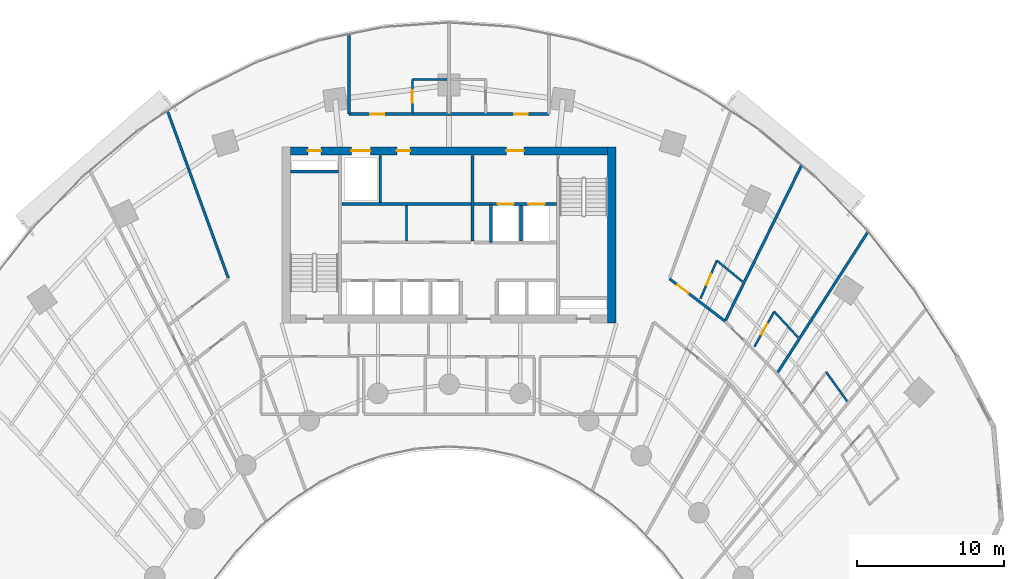
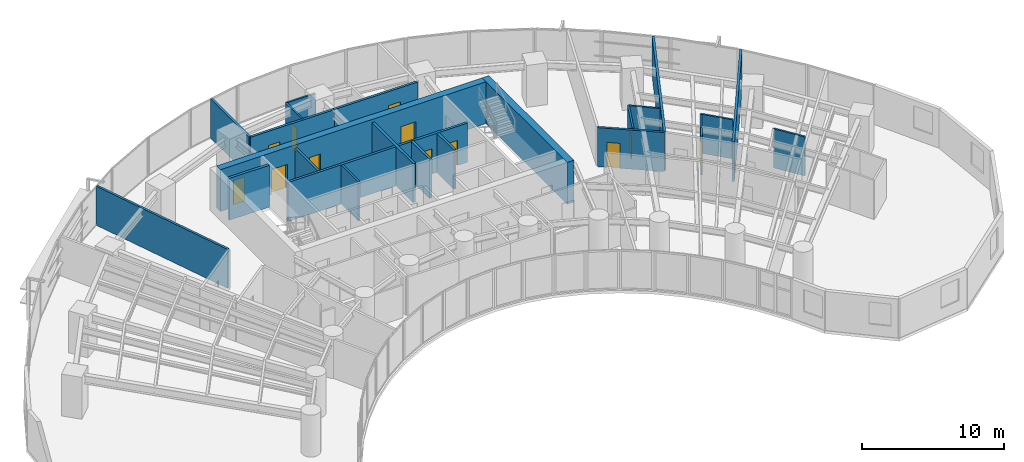
# One storey, part 13 of 17: 24 walls, 12 doors, 12 openings.
"""IFC4 building model written with IfcOpenShell, lengths in metres."""

import ifcopenshell
import ifcopenshell.guid

model = None  # the IFC model being written
_history = None  # IfcOwnerHistory: only IFC2X3 demands one
_inside = {}  # id of a spatial element -> (the spatial element, [elements in it])
_under = {}  # id of a project, library or spatial element -> (it, [spatial elements below it])
_declared = {}  # id of a project -> (the project, [libraries it declares])
_typed = {}  # id of a type object -> (the type object, [elements of that type])
_made_of = {}  # id of a material, layer set ... -> (it, [elements and type objects made of it])


def new_model(schema):
    """Start an empty IFC model of exactly this schema.

    Asked for "IFC4X3", IfcOpenShell would pick the latest addendum, in which some entities
    have other attributes; the version numbers below select the first issue.
    IFC2X3 requires an IfcOwnerHistory on every rooted entity: one is made here for all.
    """
    global model, _history
    if schema == "IFC4X3":
        model = ifcopenshell.file(schema_version=(4, 3, 0, 0))
    else:
        model = ifcopenshell.file(schema=schema)
    _inside.clear()
    _under.clear()
    _declared.clear()
    _typed.clear()
    _made_of.clear()
    _history = None
    if model.schema == "IFC2X3":
        org = make("IfcOrganization", Name="unknown")
        user = make(
            "IfcPersonAndOrganization",
            ThePerson=make("IfcPerson", FamilyName="unknown"),
            TheOrganization=org,
        )
        app = make(
            "IfcApplication",
            ApplicationDeveloper=org,
            Version="unknown",
            ApplicationFullName="unknown",
            ApplicationIdentifier="unknown",
        )
        _history = make(
            "IfcOwnerHistory",
            OwningUser=user,
            OwningApplication=app,
            ChangeAction="ADDED",
            CreationDate=0,
        )
    return model


def make(cls, **values):
    """One entity of the class cls with the attributes given. An attribute that is None is left unset."""
    return model.create_entity(
        cls, **{name: value for name, value in values.items() if value is not None}
    )


def rooted(cls, **values):
    """An entity with a GlobalId (a new one), such as an element, a storey or a relation."""
    return make(cls, GlobalId=ifcopenshell.guid.new(), OwnerHistory=_history, **values)


def si_unit(unit_type, name, prefix=None):
    """IfcSIUnit, for example si_unit("LENGTHUNIT", "METRE", prefix="MILLI")."""
    return make("IfcSIUnit", UnitType=unit_type, Prefix=prefix, Name=name)


def assignment(units):
    """IfcUnitAssignment: the units of a project."""
    return None if units is None else make("IfcUnitAssignment", Units=units)


def point(xyz):
    """IfcCartesianPoint."""
    return None if xyz is None else make("IfcCartesianPoint", Coordinates=xyz)


def direction(xyz):
    """IfcDirection."""
    return None if xyz is None else make("IfcDirection", DirectionRatios=xyz)


def frame(location, z_axis=None, x_axis=None):
    """IfcAxis2Placement3D, a coordinate frame: its origin and axes. An axis left out is left unset."""
    return make(
        "IfcAxis2Placement3D",
        Location=point(location),
        Axis=direction(z_axis),
        RefDirection=direction(x_axis),
    )


def frame_2d(location, x_axis=None):
    """IfcAxis2Placement2D, a coordinate frame in the plane: its origin and x axis."""
    return make(
        "IfcAxis2Placement2D", Location=point(location), RefDirection=direction(x_axis)
    )


def origin():
    """The frame at (0, 0, 0) with its axes left unset."""
    return frame((0.0, 0.0, 0.0))


def place(relative_to, where):
    """IfcLocalPlacement: puts the frame where relative to a parent placement (None: the world)."""
    return make(
        "IfcLocalPlacement", PlacementRelTo=relative_to, RelativePlacement=where
    )


def context(
    kind, dimensions, precision=None, world=None, true_north=None, identifier=None
):
    """IfcGeometricRepresentationContext, for example the 3D "Model" context."""
    return make(
        "IfcGeometricRepresentationContext",
        ContextIdentifier=identifier,
        ContextType=kind,
        CoordinateSpaceDimension=dimensions,
        Precision=precision,
        WorldCoordinateSystem=world,
        TrueNorth=true_north,
    )


def subcontext(parent, identifier, kind, view, scale=None):
    """IfcGeometricRepresentationSubContext, for example "Body" below "Model"."""
    return make(
        "IfcGeometricRepresentationSubContext",
        ContextIdentifier=identifier,
        ContextType=kind,
        ParentContext=parent,
        TargetScale=scale,
        TargetView=view,
    )


def project(units=None, contexts=None):
    """IfcProject with its units and contexts."""
    return rooted(
        "IfcProject",
        Name="project",
        RepresentationContexts=contexts,
        UnitsInContext=assignment(units),
    )


def spatial(cls, under=None, at=None, **own):
    """A site, building, storey or space (cls), placed at a placement, below another one or the project."""
    s = rooted(cls, ObjectPlacement=at, **own)
    if under is not None:
        _under.setdefault(under.id(), (under, []))[1].append(s)
    return s


def profile(cls, at=None, kind="AREA", **sizes):
    """A parametric profile (cls). Its sizes go by their IFC names, for example OverallWidth=200.0."""
    return make(cls, ProfileType=kind, Position=at, **sizes)


def rectangle(**sizes):
    """IfcRectangleProfileDef."""
    return profile("IfcRectangleProfileDef", **sizes)


def extrude(swept, where, along, depth):
    """IfcExtrudedAreaSolid: the profile swept, set in the frame where, extruded along a direction by depth."""
    return make(
        "IfcExtrudedAreaSolid",
        SweptArea=swept,
        Position=where,
        ExtrudedDirection=direction(along),
        Depth=depth,
    )


def shape(context_of_items, identifier, shape_type, items):
    """IfcShapeRepresentation: the items that make up one representation, for example the "Body"."""
    return make(
        "IfcShapeRepresentation",
        ContextOfItems=context_of_items,
        RepresentationIdentifier=identifier,
        RepresentationType=shape_type,
        Items=items,
    )


def source(mapping_origin, context_of_items, identifier, shape_type, items):
    """IfcRepresentationMap: a shape defined once, which mapped items show again and again."""
    return make(
        "IfcRepresentationMap",
        MappingOrigin=mapping_origin,
        MappedRepresentation=shape(context_of_items, identifier, shape_type, items),
    )


def transform(
    local_origin,
    x_axis=None,
    y_axis=None,
    z_axis=None,
    scale=None,
    scale2=None,
    scale3=None,
    uniform=True,
):
    """IfcCartesianTransformationOperator3D, or its non-uniform kind. x_axis, y_axis, z_axis: its Axis1, 2, 3."""
    if uniform:
        return make(
            "IfcCartesianTransformationOperator3D",
            Axis1=direction(x_axis),
            Axis2=direction(y_axis),
            LocalOrigin=point(local_origin),
            Scale=scale,
            Axis3=direction(z_axis),
        )
    return make(
        "IfcCartesianTransformationOperator3DnonUniform",
        Axis1=direction(x_axis),
        Axis2=direction(y_axis),
        LocalOrigin=point(local_origin),
        Scale=scale,
        Axis3=direction(z_axis),
        Scale2=scale2,
        Scale3=scale3,
    )


def mapped(mapping_source, mapping_target):
    """IfcMappedItem: shows the shape of a source again, moved by a transform."""
    return make(
        "IfcMappedItem", MappingSource=mapping_source, MappingTarget=mapping_target
    )


def material(Name=None, Category=None):
    """IfcMaterial."""
    return make("IfcMaterial", Name=Name, Category=Category)


def layer(
    of_material, thickness, ventilated=None, Name=None, Category=None, Priority=None
):
    """IfcMaterialLayer: one layer of a wall or slab, of a material (None: an air gap)."""
    return make(
        "IfcMaterialLayer",
        Material=of_material,
        LayerThickness=thickness,
        IsVentilated=ventilated,
        Name=Name,
        Category=Category,
        Priority=Priority,
    )


def layer_set(layers, Name=None):
    """IfcMaterialLayerSet."""
    return make("IfcMaterialLayerSet", MaterialLayers=layers, LayerSetName=Name)


def made_of(thing, what):
    """Note that an element or type object is made of a material, layer set ...; save() writes the relation."""
    if what is not None:
        _made_of.setdefault(what.id(), (what, []))[1].append(thing)
    return thing


def type_object(cls, material=None, **own):
    """A type object (cls), such as IfcWallType, which elements share."""
    return made_of(rooted(cls, **own), material)


def type_shapes(of_type, sources):
    """Give a type object the sources (RepresentationMaps) that its elements show as mapped items."""
    of_type.RepresentationMaps = sources


def element(
    cls,
    number,
    at=None,
    inside=None,
    cuts=None,
    type_object=None,
    material=None,
    context=None,
    identifier="Body",
    shape_type=None,
    held_by="IfcProductDefinitionShape",
    body=None,
    shapes=None,
    **own,
):
    """One element of the class cls, such as IfcWall. Its Tag is "e" and its number.

    at: its placement. inside: the storey or other place that contains it. cuts: it is an
    opening in that element (IfcRelVoidsElement). A single representation is given by context,
    identifier, shape_type and body (its items); several are given by shapes. held_by: the class
    of the entity that holds the representations. save() writes the other relations.
    """
    e = rooted(cls, Tag="e%d" % number, ObjectPlacement=at, **own)
    if body is not None:
        shapes = [shape(context, identifier, shape_type, body)]
    if shapes is not None:
        e.Representation = make(held_by, Representations=shapes)
    if inside is not None:
        _inside.setdefault(inside.id(), (inside, []))[1].append(e)
    if cuts is not None:
        rooted(
            "IfcRelVoidsElement", RelatingBuildingElement=cuts, RelatedOpeningElement=e
        )
    if type_object is not None:
        _typed.setdefault(type_object.id(), (type_object, []))[1].append(e)
    return made_of(e, material)


def fill(opening, filler):
    """IfcRelFillsElement: the door or window that sits in an opening."""
    return rooted(
        "IfcRelFillsElement",
        RelatingOpeningElement=opening,
        RelatedBuildingElement=filler,
    )


def aggregate(whole, parts):
    """IfcRelAggregates: a whole, such as a stair, and the parts it consists of."""
    return rooted("IfcRelAggregates", RelatingObject=whole, RelatedObjects=parts)


def save(model, path):
    """Write the relations noted so far, then the file.

    IfcRelAggregates (storeys below a building ...), IfcRelContainedInSpatialStructure (elements
    in a storey), IfcRelDefinesByType, IfcRelAssociatesMaterial and IfcRelDeclares: one each for
    every whole, place, type object, material and project.
    """
    for whole, parts in _under.values():
        aggregate(whole, parts)
    for where, things in _inside.values():
        rooted(
            "IfcRelContainedInSpatialStructure",
            RelatedElements=things,
            RelatingStructure=where,
        )
    for kind, things in _typed.values():
        rooted("IfcRelDefinesByType", RelatedObjects=things, RelatingType=kind)
    for what, things in _made_of.values():
        rooted("IfcRelAssociatesMaterial", RelatedObjects=things, RelatingMaterial=what)
    for by, libraries in _declared.values():
        rooted("IfcRelDeclares", RelatingContext=by, RelatedDefinitions=libraries)
    model.write(path)


model = new_model("IFC4")

# Units and contexts
model_context = context("Model", 3, precision=1e-05, world=origin(), true_north=direction((0.0, 1.0)))
body_context = subcontext(model_context, "Body", "Model", "MODEL_VIEW")
ifc_project = project(units=[si_unit("LENGTHUNIT", "METRE"), si_unit("AREAUNIT", "SQUARE_METRE"), si_unit("VOLUMEUNIT", "CUBIC_METRE"), si_unit("PLANEANGLEUNIT", "RADIAN"), si_unit("MASSUNIT", "GRAM", prefix="KILO")], contexts=[model_context])

# Site, building, storey
site_placement = place(None, origin())
site = spatial("IfcSite", under=ifc_project, at=site_placement, CompositionType="ELEMENT")
building_placement = place(site_placement, origin())
building = spatial("IfcBuilding", under=site, at=building_placement, Name="Breltana Convention Tower", CompositionType="ELEMENT")
storey_placement = place(building_placement, frame((0.0, 0.0, 57.0)))
storey = spatial("IfcBuildingStorey", under=building, at=storey_placement, Name="L12", CompositionType="ELEMENT", Elevation=57.0)

# Wall
ifc_material_1 = material(Name="Concrete C60/75", Category="concrete")
ifc_layer_1 = layer(ifc_material_1, 0.550048828125, Name="Concrete C60/75")
ifc_layer_set_1 = layer_set([ifc_layer_1], Name="Concrete C60/75")
wall_type_1 = type_object("IfcWallType", Name="SW-CORE-550", PredefinedType="SHEAR", material=ifc_layer_set_1)
shared_shape_1 = source(origin(), body_context, "Body", "SweptSolid", [
    extrude(rectangle(XDim=12.0, YDim=0.550048828125, at=frame_2d((6.0, 0.0))), origin(), (0.0, 0.0, 1.0), 3.60009765625),
])
wall_1_placement = place(storey_placement, frame((59.074951171875, 60.199951171875, 0.0), z_axis=(0.0, 0.0, 1.0), x_axis=(0.0, 1.0, 0.0)))
element("IfcWall", 1, at=wall_1_placement, inside=storey, type_object=wall_type_1, Name="L12 East Core Shear Wall", PredefinedType="SHEAR", context=body_context, shape_type="MappedRepresentation", body=[
    mapped(shared_shape_1, transform((0.0, 0.0, 0.0), scale=1.0)),
])

# Wall, openings, doors
shared_shape_2 = source(origin(), body_context, "Body", "SweptSolid", [
    extrude(rectangle(XDim=21.60009765625, YDim=0.550048828125, at=frame_2d((10.800048828125, 0.0))), origin(), (0.0, 0.0, 1.0), 3.60009765625),
])
wall_2_placement = place(storey_placement, frame((37.199951171875, 71.925048828125, 0.0), z_axis=(0.0, 0.0, 1.0), x_axis=(1.0, 0.0, 0.0)))
wall_2 = element("IfcWall", 2, at=wall_2_placement, inside=storey, type_object=wall_type_1, Name="L12 North Core Shear Wall", PredefinedType="SHEAR", context=body_context, shape_type="MappedRepresentation", body=[
    mapped(shared_shape_2, transform((0.0, 0.0, 0.0), scale=1.0)),
])
opening_1_placement = place(wall_2_placement, frame((1.199951171875, 0.0, 0.0)))
opening_1 = element("IfcOpeningElement", 3, at=opening_1_placement, cuts=wall_2, Name="Opening D-18", PredefinedType="OPENING", context=body_context, shape_type="SweptSolid", body=[
    extrude(rectangle(XDim=0.89990234375, YDim=2.10009765625, at=frame_2d((0.449951171875, 1.050048828125))), frame((0.0, 0.28515625, 0.0), z_axis=(0.0, -1.0, 0.0), x_axis=(1.0, 0.0, 0.0)), (0.0, 0.0, 1.0), 0.570068359375),
])
opening_2_placement = place(wall_2_placement, frame((14.699951171875, 0.0, 0.0)))
opening_2 = element("IfcOpeningElement", 4, at=opening_2_placement, cuts=wall_2, Name="Opening D-09", PredefinedType="OPENING", context=body_context, shape_type="SweptSolid", body=[
    extrude(rectangle(XDim=1.199951171875, YDim=2.14990234375, at=frame_2d((0.60009765625, 1.074951171875))), frame((0.0, 0.28515625, 0.0), z_axis=(0.0, -1.0, 0.0), x_axis=(1.0, 0.0, 0.0)), (0.0, 0.0, 1.0), 0.570068359375),
])
opening_3_placement = place(wall_2_placement, frame((4.14990234375, 0.0, 0.0)))
opening_3 = element("IfcOpeningElement", 5, at=opening_3_placement, cuts=wall_2, Name="Opening LD-01", PredefinedType="OPENING", context=body_context, shape_type="SweptSolid", body=[
    extrude(rectangle(XDim=1.300048828125, YDim=2.14990234375, at=frame_2d((0.64990234375, 1.074951171875))), frame((0.0, 0.28515625, 0.0), z_axis=(0.0, -1.0, 0.0), x_axis=(1.0, 0.0, 0.0)), (0.0, 0.0, 1.0), 0.570068359375),
])
opening_4_placement = place(wall_2_placement, frame((7.25, 0.0, 0.0)))
opening_4 = element("IfcOpeningElement", 6, at=opening_4_placement, cuts=wall_2, Name="Opening D-18", PredefinedType="OPENING", context=body_context, shape_type="SweptSolid", body=[
    extrude(rectangle(XDim=0.89990234375, YDim=2.10009765625, at=frame_2d((0.449951171875, 1.050048828125))), frame((0.0, 0.28515625, 0.0), z_axis=(0.0, -1.0, 0.0), x_axis=(1.0, 0.0, 0.0)), (0.0, 0.0, 1.0), 0.570068359375),
])
ifc_material_2 = material(Name="Steel Riser Fire Door", Category="steel")
door_type_1 = type_object("IfcDoorType", Name="DR-FD60-900", OperationType="NOTDEFINED", PredefinedType="DOOR", material=ifc_material_2)
shared_shape_3 = source(origin(), body_context, "Body", "SweptSolid", [
    extrude(rectangle(XDim=0.89990234375, YDim=2.10009765625, at=frame_2d((0.449951171875, 1.050048828125))), frame((0.0, 0.02490234375, 0.0), z_axis=(0.0, -1.0, 0.0), x_axis=(1.0, 0.0, 0.0)), (0.0, 0.0, 1.0), 0.050048828125),
])
type_shapes(door_type_1, [shared_shape_3])
door_1_placement = place(opening_1_placement, origin())
door_1 = element("IfcDoor", 7, at=door_1_placement, inside=storey, type_object=door_type_1, Name="L12 Core Riser Access Door D-L12-RS1", OperationType="SINGLE_SWING_LEFT", OverallHeight=2.10009765625, OverallWidth=0.89990234375, PredefinedType="DOOR", context=body_context, shape_type="MappedRepresentation", body=[
    mapped(shared_shape_3, transform((0.0, 0.0, 0.0), scale=1.0)),
])
fill(opening_1, door_1)
door_2_placement = place(opening_4_placement, origin())
door_2 = element("IfcDoor", 8, at=door_2_placement, inside=storey, type_object=door_type_1, Name="L12 interior door D-L12-CRA1", OperationType="SINGLE_SWING_RIGHT", OverallHeight=2.10009765625, OverallWidth=0.89990234375, PredefinedType="DOOR", context=body_context, shape_type="MappedRepresentation", body=[
    mapped(shared_shape_3, transform((0.0, 0.0, 0.0), scale=1.0)),
])
fill(opening_4, door_2)
ifc_material_3 = material(Name="Steel Fire Lobby Door", Category="steel")
door_type_2 = type_object("IfcDoorType", Name="DR-FD120-1200", OperationType="NOTDEFINED", PredefinedType="DOOR", material=ifc_material_3)
shared_shape_4 = source(origin(), body_context, "Body", "SweptSolid", [
    extrude(rectangle(XDim=1.199951171875, YDim=2.14990234375, at=frame_2d((0.60009765625, 1.074951171875))), frame((0.0, 0.02490234375, 0.0), z_axis=(0.0, -1.0, 0.0), x_axis=(1.0, 0.0, 0.0)), (0.0, 0.0, 1.0), 0.050048828125),
])
type_shapes(door_type_2, [shared_shape_4])
door_3_placement = place(opening_2_placement, origin())
door_3 = element("IfcDoor", 9, at=door_3_placement, inside=storey, type_object=door_type_2, Name="L12 interior door D-L12-FFL-N", OperationType="SINGLE_SWING_RIGHT", OverallHeight=2.14990234375, OverallWidth=1.199951171875, PredefinedType="DOOR", context=body_context, shape_type="MappedRepresentation", body=[
    mapped(shared_shape_4, transform((0.0, 0.0, 0.0), scale=1.0)),
])
fill(opening_2, door_3)
ifc_material_4 = material(Name="Stainless Steel Brushed", Category="steel")
door_type_3 = type_object("IfcDoorType", Name="DR-LD-SRV-1300", OperationType="DOUBLE_DOOR_SLIDING", PredefinedType="DOOR", material=ifc_material_4)
shared_shape_5 = source(origin(), body_context, "Body", "SweptSolid", [
    extrude(rectangle(XDim=1.300048828125, YDim=2.14990234375, at=frame_2d((0.64990234375, 1.074951171875))), frame((0.0, 0.02490234375, 0.0), z_axis=(0.0, -1.0, 0.0), x_axis=(1.0, 0.0, 0.0)), (0.0, 0.0, 1.0), 0.050048828125),
])
type_shapes(door_type_3, [shared_shape_5])
door_4_placement = place(opening_3_placement, origin())
door_4 = element("IfcDoor", 10, at=door_4_placement, inside=storey, type_object=door_type_3, Name="L12 Lift Landing Door D-L12-LD-SV1", OperationType="DOUBLE_DOOR_SLIDING", OverallHeight=2.14990234375, OverallWidth=1.300048828125, PredefinedType="DOOR", context=body_context, shape_type="MappedRepresentation", body=[
    mapped(shared_shape_5, transform((0.0, 0.0, 0.0), scale=1.0)),
])
fill(opening_3, door_4)

# Wall
ifc_material_5 = material(Name="Concrete C50/60", Category="concrete")
ifc_layer_2 = layer(ifc_material_5, 0.39990234375, Name="Concrete C50/60")
ifc_layer_set_2 = layer_set([ifc_layer_2], Name="Concrete C50/60")
wall_type_2 = type_object("IfcWallType", Name="SW-CORE-400", PredefinedType="SHEAR", material=ifc_layer_set_2)
shared_shape_6 = source(origin(), body_context, "Body", "SweptSolid", [
    extrude(rectangle(XDim=3.27001953125, YDim=0.219970703125, at=frame_2d((1.635009765625, 0.0))), origin(), (0.0, 0.0, 1.0), 3.60009765625),
])
wall_3_placement = place(storey_placement, frame((37.199951171875, 70.510009765625, 0.0), z_axis=(0.0, 0.0, 1.0), x_axis=(1.0, 0.0, 0.0)))
element("IfcWall", 11, at=wall_3_placement, inside=storey, type_object=wall_type_2, Name="L12 ST-1 Stairwell North Bearing Wall", PredefinedType="SHEAR", context=body_context, shape_type="MappedRepresentation", body=[
    mapped(shared_shape_6, transform((0.0, 0.0, 0.0), scale=1.0)),
])

# Wall, openings, doors
ifc_material_6 = material(Name="Autoclaved Aerated Concrete Block", Category="concrete")
ifc_layer_3 = layer(ifc_material_6, 0.199951171875, Name="Autoclaved Aerated Concrete Block")
ifc_layer_set_3 = layer_set([ifc_layer_3], Name="Autoclaved Aerated Concrete Block")
wall_type_3 = type_object("IfcWallType", Name="WL-SHAFT-200", PredefinedType="SOLIDWALL", material=ifc_layer_set_3)
shared_shape_7 = source(origin(), body_context, "Body", "SweptSolid", [
    extrude(rectangle(XDim=5.6201171875, YDim=0.199951171875, at=frame_2d((2.81005859375, 0.0))), origin(), (0.0, 0.0, 1.0), 3.360107421875),
])
wall_4_placement = place(storey_placement, frame((49.699951171875, 68.300048828125, 0.0), z_axis=(0.0, 0.0, 1.0), x_axis=(1.0, 0.0, 0.0)))
wall_4 = element("IfcWall", 12, at=wall_4_placement, inside=storey, type_object=wall_type_3, Name="L12 interior partition W-L12-FFL-S", PredefinedType="SOLIDWALL", context=body_context, shape_type="MappedRepresentation", body=[
    mapped(shared_shape_7, transform((0.0, 0.0, 0.0), scale=1.0)),
])
opening_5_placement = place(wall_4_placement, frame((1.60009765625, 0.0, 0.0)))
opening_5 = element("IfcOpeningElement", 13, at=opening_5_placement, cuts=wall_4, Name="Opening LD-03", PredefinedType="OPENING", context=body_context, shape_type="SweptSolid", body=[
    extrude(rectangle(XDim=1.10009765625, YDim=2.14990234375, at=frame_2d((0.550048828125, 1.074951171875))), frame((0.0, 0.10986328125, 0.0), z_axis=(0.0, -1.0, 0.0), x_axis=(1.0, 0.0, 0.0)), (0.0, 0.0, 1.0), 0.219970703125),
])
opening_6_placement = place(wall_4_placement, frame((3.699951171875, 0.0, 0.0)))
opening_6 = element("IfcOpeningElement", 14, at=opening_6_placement, cuts=wall_4, Name="Opening LD-03", PredefinedType="OPENING", context=body_context, shape_type="SweptSolid", body=[
    extrude(rectangle(XDim=1.10009765625, YDim=2.14990234375, at=frame_2d((0.550048828125, 1.074951171875))), frame((0.0, 0.10986328125, 0.0), z_axis=(0.0, -1.0, 0.0), x_axis=(1.0, 0.0, 0.0)), (0.0, 0.0, 1.0), 0.219970703125),
])
door_type_4 = type_object("IfcDoorType", Name="DR-LD-FF-1100", OperationType="DOUBLE_DOOR_SLIDING", PredefinedType="DOOR", material=ifc_material_4)
shared_shape_8 = source(origin(), body_context, "Body", "SweptSolid", [
    extrude(rectangle(XDim=1.10009765625, YDim=2.14990234375, at=frame_2d((0.550048828125, 1.074951171875))), frame((0.0, 0.02490234375, 0.0), z_axis=(0.0, -1.0, 0.0), x_axis=(1.0, 0.0, 0.0)), (0.0, 0.0, 1.0), 0.050048828125),
])
type_shapes(door_type_4, [shared_shape_8])
door_5_placement = place(opening_5_placement, origin())
door_5 = element("IfcDoor", 15, at=door_5_placement, inside=storey, type_object=door_type_4, Name="L12 Lift Landing Door D-L12-LD-FL1", OperationType="DOUBLE_DOOR_SLIDING", OverallHeight=2.14990234375, OverallWidth=1.10009765625, PredefinedType="DOOR", context=body_context, shape_type="MappedRepresentation", body=[
    mapped(shared_shape_8, transform((0.0, 0.0, 0.0), scale=1.0)),
])
fill(opening_5, door_5)
door_6_placement = place(opening_6_placement, origin())
door_6 = element("IfcDoor", 16, at=door_6_placement, inside=storey, type_object=door_type_4, Name="L12 Lift Landing Door D-L12-LD-FL2", OperationType="DOUBLE_DOOR_SLIDING", OverallHeight=2.14990234375, OverallWidth=1.10009765625, PredefinedType="DOOR", context=body_context, shape_type="MappedRepresentation", body=[
    mapped(shared_shape_8, transform((0.0, 0.0, 0.0), scale=1.0)),
])
fill(opening_6, door_6)

# Walls
shared_shape_9 = source(origin(), body_context, "Body", "SweptSolid", [
    extrude(rectangle(XDim=5.800048828125, YDim=0.199951171875, at=frame_2d((2.89990234375, 0.0))), origin(), (0.0, 0.0, 1.0), 3.360107421875),
])
wall_5_placement = place(storey_placement, frame((49.60009765625, 65.800048828125, 0.0), z_axis=(0.0, 0.0, 1.0), x_axis=(0.0, 1.0, 0.0)))
element("IfcWall", 17, at=wall_5_placement, inside=storey, type_object=wall_type_3, Name="L12 interior partition W-L12-FFL-W", PredefinedType="SOLIDWALL", context=body_context, shape_type="MappedRepresentation", body=[
    mapped(shared_shape_9, transform((0.0, 0.0, 0.0), scale=1.0)),
])
shared_shape_10 = source(origin(), body_context, "Body", "SweptSolid", [
    extrude(rectangle(XDim=2.580078125, YDim=0.199951171875, at=frame_2d((1.2900390625, 0.0))), origin(), (0.0, 0.0, 1.0), 3.360107421875),
])
wall_6_placement = place(storey_placement, frame((50.85009765625, 65.679931640625, 0.0), z_axis=(0.0, 0.0, 1.0), x_axis=(0.0, 1.0, 0.0)))
element("IfcWall", 18, at=wall_6_placement, inside=storey, type_object=wall_type_3, Name="L12 interior partition W-L12-FL-W", PredefinedType="SOLIDWALL", context=body_context, shape_type="MappedRepresentation", body=[
    mapped(shared_shape_10, transform((0.0, 0.0, 0.0), scale=1.0)),
])
shared_shape_11 = source(origin(), body_context, "Body", "SweptSolid", [
    extrude(rectangle(XDim=2.39990234375, YDim=0.199951171875, at=frame_2d((1.199951171875, 0.0))), origin(), (0.0, 0.0, 1.0), 3.360107421875),
])
wall_7_placement = place(storey_placement, frame((52.89990234375, 65.800048828125, 0.0), z_axis=(0.0, 0.0, 1.0), x_axis=(0.0, 1.0, 0.0)))
element("IfcWall", 19, at=wall_7_placement, inside=storey, type_object=wall_type_3, Name="L12 interior partition W-L12-FL-DIV", PredefinedType="SOLIDWALL", context=body_context, shape_type="MappedRepresentation", body=[
    mapped(shared_shape_11, transform((0.0, 0.0, 0.0), scale=1.0)),
])
shared_shape_12 = source(origin(), body_context, "Body", "SweptSolid", [
    extrude(rectangle(XDim=3.2001953125, YDim=0.199951171875, at=frame_2d((1.60009765625, 0.0))), origin(), (0.0, 0.0, 1.0), 3.360107421875),
])
wall_8_placement = place(storey_placement, frame((43.320068359375, 68.39990234375, 0.0), z_axis=(0.0, 0.0, 1.0), x_axis=(0.0, 1.0, 0.0)))
element("IfcWall", 20, at=wall_8_placement, inside=storey, type_object=wall_type_3, Name="L12 interior partition W-L12-SV-E", PredefinedType="SOLIDWALL", context=body_context, shape_type="MappedRepresentation", body=[
    mapped(shared_shape_12, transform((0.0, 0.0, 0.0), scale=1.0)),
])
shared_shape_13 = source(origin(), body_context, "Body", "SweptSolid", [
    extrude(rectangle(XDim=8.800048828125, YDim=0.199951171875, at=frame_2d((4.39990234375, 0.0))), origin(), (0.0, 0.0, 1.0), 3.360107421875),
])
wall_9_placement = place(storey_placement, frame((40.699951171875, 68.300048828125, 0.0), z_axis=(0.0, 0.0, 1.0), x_axis=(1.0, 0.0, 0.0)))
element("IfcWall", 21, at=wall_9_placement, inside=storey, type_object=wall_type_3, Name="L12 interior partition W-L12-SV-S", PredefinedType="SOLIDWALL", context=body_context, shape_type="MappedRepresentation", body=[
    mapped(shared_shape_13, transform((0.0, 0.0, 0.0), scale=1.0)),
])

# Wall, opening, door
ifc_material_7 = material(Name="Gypsum Acoustic Hotel Wall")
ifc_layer_4 = layer(ifc_material_7, 0.195068359375, Name="Gypsum Acoustic Hotel Wall")
ifc_layer_set_4 = layer_set([ifc_layer_4], Name="Gypsum Acoustic Hotel Wall")
wall_type_4 = type_object("IfcWallType", Name="WL-HOTEL-200", PredefinedType="PARTITIONING", material=ifc_layer_set_4)
shared_shape_14 = source(origin(), body_context, "Body", "SweptSolid", [
    extrude(rectangle(XDim=6.800048828125, YDim=0.195068359375, at=frame_2d((3.39990234375, 0.0))), origin(), (0.0, 0.0, 1.0), 3.360107421875),
])
type_shapes(wall_type_4, [shared_shape_14])
wall_10_placement = place(storey_placement, frame((41.199951171875, 74.419921875, 0.0), z_axis=(0.0, 0.0, 1.0), x_axis=(1.0, 0.0, 0.0)))
wall_10 = element("IfcWall", 22, at=wall_10_placement, inside=storey, type_object=wall_type_4, Name="L12 interior partition W-L12-GRN1-S", PredefinedType="PARTITIONING", context=body_context, shape_type="MappedRepresentation", body=[
    mapped(shared_shape_14, transform((0.0, 0.0, 0.0), scale=1.0)),
])
opening_7_placement = place(wall_10_placement, frame((1.428955078125, 0.0, 0.0)))
opening_7 = element("IfcOpeningElement", 23, at=opening_7_placement, cuts=wall_10, Name="Opening D-14", PredefinedType="OPENING", context=body_context, shape_type="SweptSolid", body=[
    extrude(rectangle(XDim=0.949951171875, YDim=2.14990234375, at=frame_2d((0.47509765625, 1.074951171875))), frame((0.0, 0.107421875, 0.0), z_axis=(0.0, -1.0, 0.0), x_axis=(1.0, 0.0, 0.0)), (0.0, 0.0, 1.0), 0.215087890625),
])
ifc_material_8 = material(Name="Timber Solid-Core Fire Door", Category="wood")
door_type_5 = type_object("IfcDoorType", Name="DR-FD60-950", OperationType="NOTDEFINED", PredefinedType="DOOR", material=ifc_material_8)
shared_shape_15 = source(origin(), body_context, "Body", "SweptSolid", [
    extrude(rectangle(XDim=0.949951171875, YDim=2.14990234375, at=frame_2d((0.47509765625, 1.074951171875))), frame((0.0, 0.02490234375, 0.0), z_axis=(0.0, -1.0, 0.0), x_axis=(1.0, 0.0, 0.0)), (0.0, 0.0, 1.0), 0.050048828125),
])
type_shapes(door_type_5, [shared_shape_15])
door_7_placement = place(opening_7_placement, origin())
door_7 = element("IfcDoor", 24, at=door_7_placement, inside=storey, type_object=door_type_5, Name="L12 interior door D-L12-GRN1", OperationType="SINGLE_SWING_LEFT", OverallHeight=2.14990234375, OverallWidth=0.949951171875, PredefinedType="DOOR", context=body_context, shape_type="MappedRepresentation", body=[
    mapped(shared_shape_15, transform((0.0, 0.0, 0.0), scale=1.0)),
])
fill(opening_7, door_7)

wall_11_placement = place(storey_placement, frame((48.0, 74.419921875, 0.0), z_axis=(0.0, 0.0, 1.0), x_axis=(1.0, 0.0, 0.0)))
wall_11 = element("IfcWall", 25, at=wall_11_placement, inside=storey, type_object=wall_type_4, Name="L12 interior partition W-L12-GRN2-S", PredefinedType="PARTITIONING", context=body_context, shape_type="MappedRepresentation", body=[
    mapped(shared_shape_14, transform((0.0, 0.0, 0.0), scale=1.0)),
])
opening_8_placement = place(wall_11_placement, frame((4.4208984375, 0.0, 0.0)))
opening_8 = element("IfcOpeningElement", 26, at=opening_8_placement, cuts=wall_11, Name="Opening D-14", PredefinedType="OPENING", context=body_context, shape_type="SweptSolid", body=[
    extrude(rectangle(XDim=0.949951171875, YDim=2.14990234375, at=frame_2d((0.47509765625, 1.074951171875))), frame((0.0, 0.107421875, 0.0), z_axis=(0.0, -1.0, 0.0), x_axis=(1.0, 0.0, 0.0)), (0.0, 0.0, 1.0), 0.215087890625),
])
door_8_placement = place(opening_8_placement, origin())
door_8 = element("IfcDoor", 27, at=door_8_placement, inside=storey, type_object=door_type_5, Name="L12 interior door D-L12-GRN2", OperationType="SINGLE_SWING_LEFT", OverallHeight=2.14990234375, OverallWidth=0.949951171875, PredefinedType="DOOR", context=body_context, shape_type="MappedRepresentation", body=[
    mapped(shared_shape_15, transform((0.0, 0.0, 0.0), scale=1.0)),
])
fill(opening_8, door_8)

# Walls
shared_shape_16 = source(origin(), body_context, "Body", "SweptSolid", [
    extrude(rectangle(XDim=5.42626953125, YDim=0.195068359375, at=frame_2d((2.713134765625, 0.0))), origin(), (0.0, 0.0, 1.0), 3.360107421875),
])
wall_12_placement = place(storey_placement, frame((41.199951171875, 74.419921875, 0.0), z_axis=(0.0, 0.0, 1.0), x_axis=(0.0, 1.0, 0.0)))
element("IfcWall", 28, at=wall_12_placement, inside=storey, type_object=wall_type_4, Name="L12 interior partition W-L12-GRN1-SD", PredefinedType="PARTITIONING", context=body_context, shape_type="MappedRepresentation", body=[
    mapped(shared_shape_16, transform((0.0, 0.0, 0.0), scale=1.0)),
])
ifc_material_9 = material(Name="Moisture-Resistant En-Suite Partition")
ifc_layer_5 = layer(ifc_material_9, 0.139892578125, Name="Moisture-Resistant En-Suite Partition")
ifc_layer_set_5 = layer_set([ifc_layer_5], Name="Moisture-Resistant En-Suite Partition")
wall_type_5 = type_object("IfcWallType", Name="WL-WET-150", PredefinedType="PARTITIONING", material=ifc_layer_set_5)
shared_shape_17 = source(origin(), body_context, "Body", "SweptSolid", [
    extrude(rectangle(XDim=2.35009765625, YDim=0.139892578125, at=frame_2d((1.175048828125, 0.0))), origin(), (0.0, 0.0, 1.0), 3.360107421875),
])
type_shapes(wall_type_5, [shared_shape_17])
wall_13_placement = place(storey_placement, frame((45.5, 76.780029296875, 0.0), z_axis=(0.0, 0.0, 1.0), x_axis=(1.0, 0.0, 0.0)))
element("IfcWall", 29, at=wall_13_placement, inside=storey, type_object=wall_type_5, Name="L12 interior partition W-L12-ENSN1-N", PredefinedType="PARTITIONING", context=body_context, shape_type="MappedRepresentation", body=[
    mapped(shared_shape_17, transform((0.0, 0.0, 0.0), scale=1.0)),
])

# Wall, opening, door
shared_shape_18 = source(origin(), body_context, "Body", "SweptSolid", [
    extrude(rectangle(XDim=2.330078125, YDim=0.139892578125, at=frame_2d((1.1650390625, 0.0))), origin(), (0.0, 0.0, 1.0), 3.360107421875),
])
wall_14_placement = place(storey_placement, frame((45.5, 74.449951171875, 0.0), z_axis=(0.0, 0.0, 1.0), x_axis=(0.0, 1.0, 0.0)))
wall_14 = element("IfcWall", 30, at=wall_14_placement, inside=storey, type_object=wall_type_5, Name="L12 interior partition W-L12-ENSN1-SD", PredefinedType="PARTITIONING", context=body_context, shape_type="MappedRepresentation", body=[
    mapped(shared_shape_18, transform((0.0, 0.0, 0.0), scale=1.0)),
])
opening_9_placement = place(wall_14_placement, frame((0.739990234375, 0.0, 0.0)))
opening_9 = element("IfcOpeningElement", 31, at=opening_9_placement, cuts=wall_14, Name="Opening D-21", PredefinedType="OPENING", context=body_context, shape_type="SweptSolid", body=[
    extrude(rectangle(XDim=0.85009765625, YDim=2.050048828125, at=frame_2d((0.425048828125, 1.02490234375))), frame((0.0, 0.080078125, 0.0), z_axis=(0.0, -1.0, 0.0), x_axis=(1.0, 0.0, 0.0)), (0.0, 0.0, 1.0), 0.159912109375),
])
ifc_material_10 = material(Name="Timber Moisture-Resistant En-Suite Door", Category="wood")
door_type_6 = type_object("IfcDoorType", Name="DR-WET-850", OperationType="NOTDEFINED", PredefinedType="DOOR", material=ifc_material_10)
shared_shape_19 = source(origin(), body_context, "Body", "SweptSolid", [
    extrude(rectangle(XDim=0.85009765625, YDim=2.050048828125, at=frame_2d((0.425048828125, 1.02490234375))), frame((0.0, 0.02490234375, 0.0), z_axis=(0.0, -1.0, 0.0), x_axis=(1.0, 0.0, 0.0)), (0.0, 0.0, 1.0), 0.050048828125),
])
type_shapes(door_type_6, [shared_shape_19])
door_9_placement = place(opening_9_placement, origin())
door_9 = element("IfcDoor", 32, at=door_9_placement, inside=storey, type_object=door_type_6, Name="L12 interior door D-L12-ENSN1", OperationType="SINGLE_SWING_RIGHT", OverallHeight=2.050048828125, OverallWidth=0.85009765625, PredefinedType="DOOR", context=body_context, shape_type="MappedRepresentation", body=[
    mapped(shared_shape_19, transform((0.0, 0.0, 0.0), scale=1.0)),
])
fill(opening_9, door_9)

# Walls
ifc_material_11 = material(Name="Gypsum Acoustic Drywall Partition")
ifc_layer_6 = layer(ifc_material_11, 0.14990234375, Name="Gypsum Acoustic Drywall Partition")
ifc_layer_set_6 = layer_set([ifc_layer_6], Name="Gypsum Acoustic Drywall Partition")
wall_type_6 = type_object("IfcWallType", Name="WL-PART-150", PredefinedType="PARTITIONING", material=ifc_layer_set_6)
shared_shape_20 = source(origin(), body_context, "Body", "SweptSolid", [
    extrude(rectangle(XDim=2.39990234375, YDim=0.14990234375, at=frame_2d((1.199951171875, 0.0))), origin(), (0.0, 0.0, 1.0), 3.360107421875),
])
wall_15_placement = place(storey_placement, frame((45.10009765625, 65.800048828125, 0.0), z_axis=(0.0, 0.0, 1.0), x_axis=(0.0, 1.0, 0.0)))
element("IfcWall", 33, at=wall_15_placement, inside=storey, type_object=wall_type_6, Name="L12 interior partition W-L12-LV7-B2-DIV", PredefinedType="PARTITIONING", context=body_context, shape_type="MappedRepresentation", body=[
    mapped(shared_shape_20, transform((0.0, 0.0, 0.0), scale=1.0)),
])
ifc_material_12 = material(Name="Moisture-Resistant Gypsum Chase Wall")
ifc_layer_7 = layer(ifc_material_12, 0.179931640625, Name="Moisture-Resistant Gypsum Chase Wall")
ifc_layer_set_7 = layer_set([ifc_layer_7], Name="Moisture-Resistant Gypsum Chase Wall")
wall_type_7 = type_object("IfcWallType", Name="WL-PLUMB-180", PredefinedType="PLUMBINGWALL", material=ifc_layer_set_7)
shared_shape_21 = source(origin(), body_context, "Body", "SweptSolid", [
    extrude(rectangle(XDim=12.088134765625, YDim=0.179931640625, at=frame_2d((6.0439453125, 0.0))), origin(), (0.0, 0.0, 1.0), 3.360107421875),
])
wall_16_placement = place(storey_placement, frame((32.9814453125, 63.26220703125, 0.0), z_axis=(0.0, 0.0, 1.0), x_axis=(-0.34203007529, 0.939689005787, 0.0)))
element("IfcWall", 34, at=wall_16_placement, inside=storey, type_object=wall_type_7, Name="L12 interior partition W-L12-SPAO1-RB", PredefinedType="PLUMBINGWALL", context=body_context, shape_type="MappedRepresentation", body=[
    mapped(shared_shape_21, transform((0.0, 0.0, 0.0), scale=1.0)),
])

# Wall, opening, door
shared_shape_22 = source(origin(), body_context, "Body", "SweptSolid", [
    extrude(rectangle(XDim=4.76220703125, YDim=0.179931640625, at=frame_2d((2.381103515625, 0.0))), origin(), (0.0, 0.0, 1.0), 3.360107421875),
])
wall_17_placement = place(storey_placement, frame((63.001220703125, 63.214111328125, 0.0), z_axis=(0.0, 0.0, 1.0), x_axis=(0.795070295872, -0.60651729128, 0.0)))
wall_17 = element("IfcWall", 35, at=wall_17_placement, inside=storey, type_object=wall_type_7, Name="L12 interior partition W-L12-HE01-COR", PredefinedType="PLUMBINGWALL", context=body_context, shape_type="MappedRepresentation", body=[
    mapped(shared_shape_22, transform((0.0, 0.0, 0.0), scale=1.0)),
])
opening_10_placement = place(wall_17_placement, frame((0.66796875, 0.0, 0.0)))
opening_10 = element("IfcOpeningElement", 36, at=opening_10_placement, cuts=wall_17, Name="Opening D-14", PredefinedType="OPENING", context=body_context, shape_type="SweptSolid", body=[
    extrude(rectangle(XDim=0.949951171875, YDim=2.14990234375, at=frame_2d((0.47509765625, 1.074951171875))), frame((0.0, 0.10009765625, 0.0), z_axis=(0.0, -1.0, 0.0), x_axis=(1.0, 0.0, 0.0)), (0.0, 0.0, 1.0), 0.199951171875),
])
door_10_placement = place(opening_10_placement, origin())
door_10 = element("IfcDoor", 37, at=door_10_placement, inside=storey, type_object=door_type_5, Name="L12 interior door D-L12-HE01", OperationType="SINGLE_SWING_RIGHT", OverallHeight=2.14990234375, OverallWidth=0.949951171875, PredefinedType="DOOR", context=body_context, shape_type="MappedRepresentation", body=[
    mapped(shared_shape_15, transform((0.0, 0.0, 0.0), scale=1.0)),
])
fill(opening_10, door_10)

# Walls
shared_shape_23 = source(origin(), body_context, "Body", "SweptSolid", [
    extrude(rectangle(XDim=11.774658203125, YDim=0.179931640625, at=frame_2d((5.88720703125, 0.0))), origin(), (0.0, 0.0, 1.0), 3.360107421875),
])
wall_18_placement = place(storey_placement, frame((66.8095703125, 60.37060546875, 0.0), z_axis=(0.0, 0.0, 1.0), x_axis=(0.4401500056, 0.897924257702, 0.0)))
element("IfcWall", 38, at=wall_18_placement, inside=storey, type_object=wall_type_7, Name="L12 interior partition W-L12-HE01-RB", PredefinedType="PLUMBINGWALL", context=body_context, shape_type="MappedRepresentation", body=[
    mapped(shared_shape_23, transform((0.0, 0.0, 0.0), scale=1.0)),
])
shared_shape_24 = source(origin(), body_context, "Body", "SweptSolid", [
    extrude(rectangle(XDim=2.260498046875, YDim=0.139892578125, at=frame_2d((1.13037109375, 0.0))), origin(), (0.0, 0.0, 1.0), 3.360107421875),
])
wall_19_placement = place(storey_placement, frame((66.22412109375, 64.45458984375, 0.0), z_axis=(0.0, 0.0, 1.0), x_axis=(0.772646789219, -0.634836151388, 0.0)))
element("IfcWall", 39, at=wall_19_placement, inside=storey, type_object=wall_type_5, Name="L12 interior partition W-L12-HE01E-BK", PredefinedType="PARTITIONING", context=body_context, shape_type="MappedRepresentation", body=[
    mapped(shared_shape_24, transform((0.0, 0.0, 0.0), scale=1.0)),
])

# Wall, opening, door
shared_shape_25 = source(origin(), body_context, "Body", "SweptSolid", [
    extrude(rectangle(XDim=2.81884765625, YDim=0.139892578125, at=frame_2d((1.409423828125, 0.0))), origin(), (0.0, 0.0, 1.0), 3.360107421875),
])
wall_20_placement = place(storey_placement, frame((65.1123046875, 61.8642578125, 0.0), z_axis=(0.0, 0.0, 1.0), x_axis=(0.394420979357, 0.918929861874, 0.0)))
wall_20 = element("IfcWall", 40, at=wall_20_placement, inside=storey, type_object=wall_type_5, Name="L12 interior partition W-L12-HE01E-SD", PredefinedType="PARTITIONING", context=body_context, shape_type="MappedRepresentation", body=[
    mapped(shared_shape_25, transform((0.0, 0.0, 0.0), scale=1.0)),
])
opening_11_placement = place(wall_20_placement, frame((0.984375, 0.0, 0.0)))
opening_11 = element("IfcOpeningElement", 41, at=opening_11_placement, cuts=wall_20, Name="Opening D-21", PredefinedType="OPENING", context=body_context, shape_type="SweptSolid", body=[
    extrude(rectangle(XDim=0.85009765625, YDim=2.050048828125, at=frame_2d((0.425048828125, 1.02490234375))), frame((0.0, 0.080078125, 0.0), z_axis=(0.0, -1.0, 0.0), x_axis=(1.0, 0.0, 0.0)), (0.0, 0.0, 1.0), 0.159912109375),
])
door_11_placement = place(opening_11_placement, origin())
door_11 = element("IfcDoor", 42, at=door_11_placement, inside=storey, type_object=door_type_6, Name="L12 interior door D-L12-HE01E", OperationType="SINGLE_SWING_LEFT", OverallHeight=2.050048828125, OverallWidth=0.85009765625, PredefinedType="DOOR", context=body_context, shape_type="MappedRepresentation", body=[
    mapped(shared_shape_19, transform((0.0, 0.0, 0.0), scale=1.0)),
])
fill(opening_11, door_11)

# Walls
shared_shape_26 = source(origin(), body_context, "Body", "SweptSolid", [
    extrude(rectangle(XDim=11.431640625, YDim=0.179931640625, at=frame_2d((5.7158203125, 0.0))), origin(), (0.0, 0.0, 1.0), 3.360107421875),
])
wall_21_placement = place(storey_placement, frame((70.3408203125, 56.8046875, 0.0), z_axis=(0.0, 0.0, 1.0), x_axis=(0.540196183124, 0.841539115988, 0.0)))
element("IfcWall", 43, at=wall_21_placement, inside=storey, type_object=wall_type_7, Name="L12 interior partition W-L12-HE02-RB", PredefinedType="PLUMBINGWALL", context=body_context, shape_type="MappedRepresentation", body=[
    mapped(shared_shape_26, transform((0.0, 0.0, 0.0), scale=1.0)),
])
shared_shape_27 = source(origin(), body_context, "Body", "SweptSolid", [
    extrude(rectangle(XDim=2.38037109375, YDim=0.139892578125, at=frame_2d((1.190185546875, 0.0))), origin(), (0.0, 0.0, 1.0), 3.360107421875),
])
wall_22_placement = place(storey_placement, frame((70.130615234375, 60.978515625, 0.0), z_axis=(0.0, 0.0, 1.0), x_axis=(0.679084816758, -0.734059814762, 0.0)))
element("IfcWall", 44, at=wall_22_placement, inside=storey, type_object=wall_type_5, Name="L12 interior partition W-L12-HE02E-BK", PredefinedType="PARTITIONING", context=body_context, shape_type="MappedRepresentation", body=[
    mapped(shared_shape_27, transform((0.0, 0.0, 0.0), scale=1.0)),
])

# Wall, opening, door
shared_shape_28 = source(origin(), body_context, "Body", "SweptSolid", [
    extrude(rectangle(XDim=2.734619140625, YDim=0.139892578125, at=frame_2d((1.3671875, 0.0))), origin(), (0.0, 0.0, 1.0), 3.360107421875),
])
wall_23_placement = place(storey_placement, frame((68.780517578125, 58.600341796875, 0.0), z_axis=(0.0, 0.0, 1.0), x_axis=(0.493694940578, 0.869635156631, 0.0)))
wall_23 = element("IfcWall", 45, at=wall_23_placement, inside=storey, type_object=wall_type_5, Name="L12 interior partition W-L12-HE02E-SD", PredefinedType="PARTITIONING", context=body_context, shape_type="MappedRepresentation", body=[
    mapped(shared_shape_28, transform((0.0, 0.0, 0.0), scale=1.0)),
])
opening_12_placement = place(wall_23_placement, frame((0.9423828125, 0.0, 0.0)))
opening_12 = element("IfcOpeningElement", 46, at=opening_12_placement, cuts=wall_23, Name="Opening D-21", PredefinedType="OPENING", context=body_context, shape_type="SweptSolid", body=[
    extrude(rectangle(XDim=0.85009765625, YDim=2.050048828125, at=frame_2d((0.425048828125, 1.02490234375))), frame((0.0, 0.080078125, 0.0), z_axis=(0.0, -1.0, 0.0), x_axis=(1.0, 0.0, 0.0)), (0.0, 0.0, 1.0), 0.159912109375),
])
door_12_placement = place(opening_12_placement, origin())
door_12 = element("IfcDoor", 47, at=door_12_placement, inside=storey, type_object=door_type_6, Name="L12 interior door D-L12-HE02E", OperationType="SINGLE_SWING_LEFT", OverallHeight=2.050048828125, OverallWidth=0.85009765625, PredefinedType="DOOR", context=body_context, shape_type="MappedRepresentation", body=[
    mapped(shared_shape_19, transform((0.0, 0.0, 0.0), scale=1.0)),
])
fill(opening_12, door_12)

# Wall
shared_shape_29 = source(origin(), body_context, "Body", "SweptSolid", [
    extrude(rectangle(XDim=2.436767578125, YDim=0.139892578125, at=frame_2d((1.21826171875, 0.0))), origin(), (0.0, 0.0, 1.0), 3.360107421875),
])
wall_24_placement = place(storey_placement, frame((73.667236328125, 56.8681640625, 0.0), z_axis=(0.0, 0.0, 1.0), x_axis=(0.581797219134, -0.813333877204, 0.0)))
element("IfcWall", 48, at=wall_24_placement, inside=storey, type_object=wall_type_5, Name="L12 interior partition W-L12-HE03E-BK", PredefinedType="PARTITIONING", context=body_context, shape_type="MappedRepresentation", body=[
    mapped(shared_shape_29, transform((0.0, 0.0, 0.0), scale=1.0)),
])

save(model, "model.ifc")
